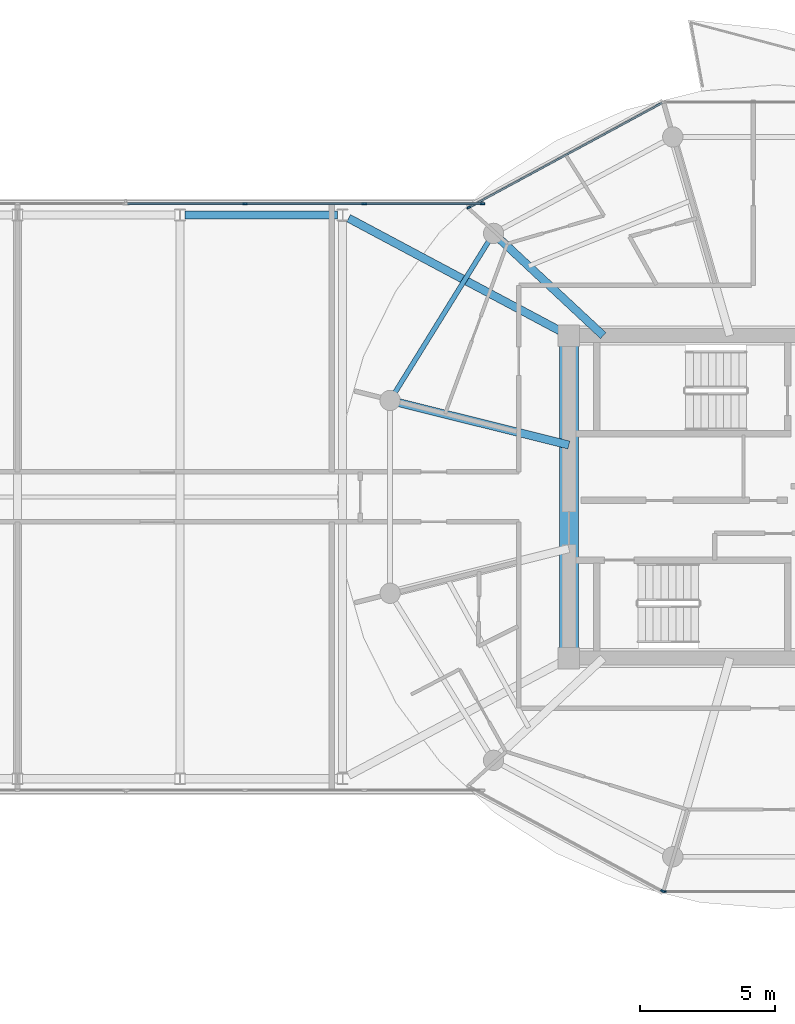
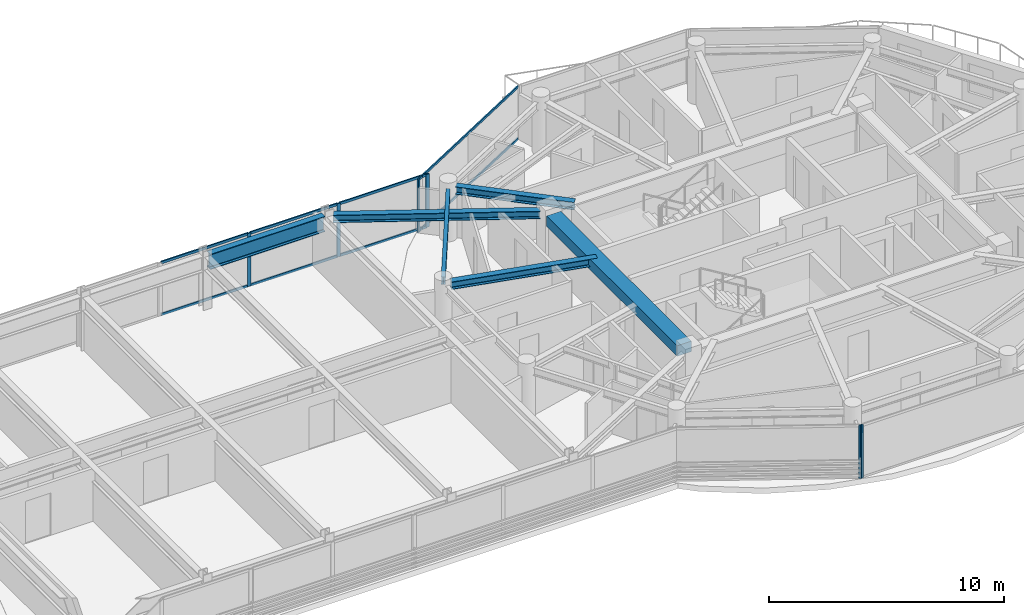
# One storey, part 8 of 24: 14 members, 6 beams, 4 elements without a shape of their own.
"""IFC4 building model written with IfcOpenShell, lengths in metres."""

from ifc_helpers import new_model, si_unit, direction, frame, origin, origin_2d, place, context, subcontext, project, spatial, rectangle, i_section, extrude, source, transform, mapped, material, layer, layer_set, material_profile, profile_set, type_object, type_shapes, element, aggregate, save


model = new_model("IFC4")

# Units and contexts
model_context = context("Model", 3, precision=1e-05, world=origin(), true_north=direction((0.0, 1.0)))
body_context = subcontext(model_context, "Body", "Model", "MODEL_VIEW")
ifc_project = project(units=[si_unit("LENGTHUNIT", "METRE"), si_unit("AREAUNIT", "SQUARE_METRE"), si_unit("VOLUMEUNIT", "CUBIC_METRE"), si_unit("PLANEANGLEUNIT", "RADIAN"), si_unit("MASSUNIT", "GRAM", prefix="KILO")], contexts=[model_context])

# Site, building, storey
site_placement = place(None, origin())
site = spatial("IfcSite", under=ifc_project, at=site_placement, CompositionType="ELEMENT")
building_placement = place(site_placement, origin())
building = spatial("IfcBuilding", under=site, at=building_placement, Name="Norrkilde Senior Care Towers", CompositionType="ELEMENT")
storey_placement = place(building_placement, frame((0.0, 0.0, 223.050048828125)))
storey = spatial("IfcBuildingStorey", under=building, at=storey_placement, Name="L69", CompositionType="ELEMENT", Elevation=223.050048828125)

# Beams
ifc_material_1 = material(Name="Concrete C60/75", Category="concrete")
ifc_material_profile_1 = material_profile(ifc_material_1, rectangle(XDim=0.699951171875, YDim=0.550048828125, at=origin_2d()), Name="RC BM 700x550")
ifc_profile_set_1 = profile_set([ifc_material_profile_1], Name="Concrete C60/75")
beam_type_1 = type_object("IfcBeamType", Name="Core Portal Coupling Beam 700x550", PredefinedType="USERDEFINED", material=ifc_profile_set_1)
shared_shape_1 = source(origin(), body_context, "Body", "SweptSolid", [
    extrude(rectangle(XDim=0.699951171875, YDim=0.550048828125, at=origin_2d()), origin(), (0.0, 0.0, 1.0), 11.14013671875),
])
type_shapes(beam_type_1, [shared_shape_1])
beam_1_placement = place(storey_placement, frame((20.35009765625, -5.570068359375, 2.48486328125), z_axis=(0.0, 1.0, 0.0), x_axis=(-1.0, 0.0, 0.0)))
element("IfcBeam", 1, at=beam_1_placement, inside=storey, type_object=beam_type_1, Name="L69 Core E W Coupling Girder", ObjectType="GIRDER", PredefinedType="USERDEFINED", context=body_context, shape_type="MappedRepresentation", body=[
    mapped(shared_shape_1, transform((0.0, 0.0, 0.0), x_axis=(1.0, 0.0, 0.0), y_axis=(0.0, 1.0, 0.0), z_axis=(0.0, 0.0, 1.0), scale=1.0)),
])
ifc_material_2 = material(Name="Steel S355", Category="steel")
ifc_material_profile_2 = material_profile(ifc_material_2, i_section(OverallWidth=0.179931640625, OverallDepth=0.39990234375, WebThickness=0.008544921875, FlangeThickness=0.013427734375, FilletRadius=0.02099609375, at=origin_2d()), Name="IPE 400")
ifc_profile_set_2 = profile_set([ifc_material_profile_2], Name="Steel S355")
beam_type_2 = type_object("IfcBeamType", Name="Perimeter Ring Spandrel Z4 IPE400", PredefinedType="SPANDREL", material=ifc_profile_set_2)
shared_shape_2 = source(origin(), body_context, "Body", "SweptSolid", [
    extrude(i_section(OverallWidth=0.179931640625, OverallDepth=0.39990234375, WebThickness=0.008544921875, FlangeThickness=0.013427734375, FilletRadius=0.02099609375, at=origin_2d()), origin(), (0.0, 0.0, 1.0), 6.58056640625),
])
type_shapes(beam_type_2, [shared_shape_2])
beam_2_placement = place(storey_placement, frame((17.393798828125, 9.43798828125, 2.56005859375), z_axis=(-0.526529583789, -0.850156807533, 0.0), x_axis=(0.850156807533, -0.526529583789, 0.0)))
element("IfcBeam", 2, at=beam_2_placement, inside=storey, type_object=beam_type_2, Name="L69 Drum E Perimeter Spandrel 05", PredefinedType="SPANDREL", context=body_context, shape_type="MappedRepresentation", body=[
    mapped(shared_shape_2, transform((0.0, 0.0, 0.0), x_axis=(1.0, 0.0, 0.0), y_axis=(0.0, 1.0, 0.0), z_axis=(0.0, 0.0, 1.0), scale=1.0)),
])
ifc_material_profile_3 = material_profile(ifc_material_2, i_section(OverallWidth=0.300048828125, OverallDepth=0.39990234375, WebThickness=0.013427734375, FlangeThickness=0.02392578125, FilletRadius=0.027099609375, at=origin_2d()), Name="HEB 400")
ifc_profile_set_3 = profile_set([ifc_material_profile_3], Name="Steel S355")
beam_type_3 = type_object("IfcBeamType", Name="Radial Floor Beam Z4 HEB400", PredefinedType="BEAM", material=ifc_profile_set_3)
shared_shape_3 = source(origin(), body_context, "Body", "SweptSolid", [
    extrude(i_section(OverallWidth=0.300048828125, OverallDepth=0.39990234375, WebThickness=0.013427734375, FlangeThickness=0.02392578125, FilletRadius=0.027099609375, at=origin_2d()), origin(), (0.0, 0.0, 1.0), 6.465087890625),
])
beam_3_placement = place(storey_placement, frame((20.35009765625, 1.910888671875, 2.56005859375), z_axis=(-0.970195788563, 0.242322371758, 0.0), x_axis=(-0.242322371758, -0.970195788563, 0.0)))
element("IfcBeam", 3, at=beam_3_placement, inside=storey, type_object=beam_type_3, Name="L69 Drum E Radial Floor Beam 06", PredefinedType="BEAM", context=body_context, shape_type="MappedRepresentation", body=[
    mapped(shared_shape_3, transform((0.0, 0.0, 0.0), x_axis=(1.0, 0.0, 0.0), y_axis=(0.0, 1.0, 0.0), z_axis=(0.0, 0.0, 1.0), scale=1.0)),
])
shared_shape_4 = source(origin(), body_context, "Body", "SweptSolid", [
    extrude(i_section(OverallWidth=0.300048828125, OverallDepth=0.39990234375, WebThickness=0.013427734375, FlangeThickness=0.02392578125, FilletRadius=0.027099609375, at=origin_2d()), origin(), (0.0, 0.0, 1.0), 5.197998046875),
])
beam_4_placement = place(storey_placement, frame((21.6171875, 5.949951171875, 2.56005859375), z_axis=(-0.731448749334, 0.681896419625, 0.0), x_axis=(-0.681896419625, -0.731448749334, 0.0)))
element("IfcBeam", 4, at=beam_4_placement, inside=storey, type_object=beam_type_3, Name="L69 Drum E Radial Floor Beam 05", PredefinedType="BEAM", context=body_context, shape_type="MappedRepresentation", body=[
    mapped(shared_shape_4, transform((0.0, 0.0, 0.0), x_axis=(1.0, 0.0, 0.0), y_axis=(0.0, 1.0, 0.0), z_axis=(0.0, 0.0, 1.0), scale=1.0)),
])
shared_shape_5 = source(origin(), body_context, "Body", "SweptSolid", [
    extrude(i_section(OverallWidth=0.300048828125, OverallDepth=0.39990234375, WebThickness=0.013427734375, FlangeThickness=0.02392578125, FilletRadius=0.027099609375, at=origin_2d()), origin(), (0.0, 0.0, 1.0), 8.831787109375),
])
type_shapes(beam_type_3, [shared_shape_3, shared_shape_4, shared_shape_5])
beam_5_placement = place(storey_placement, frame((12.220703125, 10.282470703125, 2.56005859375), z_axis=(0.882492172381, -0.470327083727, 0.0), x_axis=(0.470327083727, 0.882492172381, 0.0)))
element("IfcBeam", 5, at=beam_5_placement, inside=storey, type_object=beam_type_3, Name="L69 Sky-Gate Bridge Girder N6", PredefinedType="BEAM", context=body_context, shape_type="MappedRepresentation", body=[
    mapped(shared_shape_5, transform((0.0, 0.0, 0.0), x_axis=(1.0, 0.0, 0.0), y_axis=(0.0, 1.0, 0.0), z_axis=(0.0, 0.0, 1.0), scale=1.0)),
])
ifc_material_profile_4 = material_profile(ifc_material_2, i_section(OverallWidth=0.300048828125, OverallDepth=0.800048828125, WebThickness=0.017578125, FlangeThickness=0.032958984375, FilletRadius=0.030029296875, at=origin_2d()), Name="HEB 800")
ifc_profile_set_4 = profile_set([ifc_material_profile_4], Name="Steel S355")
beam_type_4 = type_object("IfcBeamType", Name="Bridge Floor Girder HEB800", PredefinedType="USERDEFINED", material=ifc_profile_set_4)
shared_shape_6 = source(origin(), body_context, "Body", "SweptSolid", [
    extrude(i_section(OverallWidth=0.300048828125, OverallDepth=0.800048828125, WebThickness=0.017578125, FlangeThickness=0.032958984375, FilletRadius=0.030029296875, at=origin_2d()), origin(), (0.0, 0.0, 1.0), 5.64013671875),
])
type_shapes(beam_type_4, [shared_shape_6])
beam_6_placement = place(storey_placement, frame((6.179931640625, 10.39990234375, 2.35986328125), z_axis=(1.0, 0.0, 0.0), x_axis=(0.0, 1.0, 0.0)))
element("IfcBeam", 6, at=beam_6_placement, inside=storey, type_object=beam_type_4, Name="L69 Sky-Gate Bridge Girder N5", ObjectType="GIRDER", PredefinedType="USERDEFINED", context=body_context, shape_type="MappedRepresentation", body=[
    mapped(shared_shape_6, transform((0.0, 0.0, 0.0), x_axis=(1.0, 0.0, 0.0), y_axis=(0.0, 1.0, 0.0), z_axis=(0.0, 0.0, 1.0), scale=1.0)),
])

# Curtain wall, members
ifc_material_3 = material(Name="Triple Low-E Insulated Glazing", Category="glass")
ifc_layer_1 = layer(ifc_material_3, 0.18505859375)
ifc_layer_set_1 = layer_set([ifc_layer_1], Name="Triple Low-E Insulated Glazing")
curtain_wall_type_1 = type_object("IfcCurtainWallType", Name="CW6 Zone 4 Crown Pavilion Curtain Wall", PredefinedType="NOTDEFINED", material=ifc_layer_set_1)
curtain_wall_1_placement = place(storey_placement, origin())
curtain_wall_1 = element("IfcCurtainWall", 7, at=curtain_wall_1_placement, inside=storey, type_object=curtain_wall_type_1, Name="L69 Drum E Curtain Wall 03", PredefinedType="NOTDEFINED")
ifc_material_4 = material(Name="Anodised Aluminium", Category="aluminium")
ifc_material_profile_5 = material_profile(ifc_material_4, rectangle(XDim=0.06005859375, YDim=0.1201171875, at=origin_2d()), Name="ALU TRAN 60x120")
ifc_profile_set_5 = profile_set([ifc_material_profile_5], Name="Anodised Aluminium")
member_type_1 = type_object("IfcMemberType", Name="Curtain Wall Transom Typical 60x120", PredefinedType="USERDEFINED", material=ifc_profile_set_5)
shared_shape_7 = source(origin(), body_context, "Body", "SweptSolid", [
    extrude(rectangle(XDim=0.06005859375, YDim=0.1201171875, at=origin_2d()), origin(), (0.0, 0.0, 1.0), 8.0673828125),
])
type_shapes(member_type_1, [shared_shape_7])
member_1_placement = place(storey_placement, frame((16.686767578125, 10.694091796875, 0.030029296875), z_axis=(0.87937750072, 0.476125205411, 0.0), x_axis=(-0.476125205411, 0.87937750072, 0.0)))
member_1 = element("IfcMember", 8, at=member_1_placement, type_object=member_type_1, Name="CW-6 transom 1.1", ObjectType="TRANSOM", PredefinedType="USERDEFINED", context=body_context, shape_type="MappedRepresentation", body=[
    mapped(shared_shape_7, transform((0.0, 0.0, 0.0), x_axis=(1.0, 0.0, 0.0), y_axis=(0.0, 1.0, 0.0), z_axis=(0.0, 0.0, 1.0), scale=1.0)),
])
member_2_placement = place(storey_placement, frame((16.686767578125, 10.694091796875, 2.72998046875), z_axis=(0.87937750072, 0.476125205411, 0.0), x_axis=(-0.476125205411, 0.87937750072, 0.0)))
member_2 = element("IfcMember", 9, at=member_2_placement, type_object=member_type_1, Name="CW-6 transom 1.2", ObjectType="TRANSOM", PredefinedType="USERDEFINED", context=body_context, shape_type="MappedRepresentation", body=[
    mapped(shared_shape_7, transform((0.0, 0.0, 0.0), x_axis=(1.0, 0.0, 0.0), y_axis=(0.0, 1.0, 0.0), z_axis=(0.0, 0.0, 1.0), scale=1.0)),
])
ifc_material_profile_6 = material_profile(ifc_material_4, rectangle(XDim=0.06494140625, YDim=0.14990234375, at=origin_2d()), Name="ALU MULL 65x150")
ifc_profile_set_6 = profile_set([ifc_material_profile_6], Name="Anodised Aluminium")
member_type_2 = type_object("IfcMemberType", Name="Curtain Wall Mullion Z3-Z4 65x150", PredefinedType="MULLION", material=ifc_profile_set_6)
shared_shape_8 = source(origin(), body_context, "Body", "SweptSolid", [
    extrude(rectangle(XDim=0.06494140625, YDim=0.14990234375, at=origin_2d()), origin(), (0.0, 0.0, 1.0), 2.760009765625),
])
type_shapes(member_type_2, [shared_shape_8])
member_3_placement = place(storey_placement, frame((16.658203125, 10.6787109375, 0.0), z_axis=(0.0, 0.0, 1.0), x_axis=(-0.476132676136, 0.879373455772, 0.0)))
member_3 = element("IfcMember", 10, at=member_3_placement, type_object=member_type_2, Name="CW-6 mullion 1", PredefinedType="MULLION", context=body_context, shape_type="MappedRepresentation", body=[
    mapped(shared_shape_8, transform((0.0, 0.0, 0.0), x_axis=(1.0, 0.0, 0.0), y_axis=(0.0, 1.0, 0.0), z_axis=(0.0, 0.0, 1.0), scale=1.0)),
])
aggregate(curtain_wall_1, [member_3, member_1, member_2])

# Curtain wall, member
curtain_wall_2_placement = place(storey_placement, origin())
curtain_wall_2 = element("IfcCurtainWall", 11, at=curtain_wall_2_placement, inside=storey, type_object=curtain_wall_type_1, Name="L69 Drum E Curtain Wall 07", PredefinedType="NOTDEFINED")
member_4_placement = place(storey_placement, frame((23.8095703125, -14.55078125, 0.0), z_axis=(0.0, 0.0, 1.0), x_axis=(-0.476132676136, -0.879373455772, 0.0)))
member_4 = element("IfcMember", 12, at=member_4_placement, type_object=member_type_2, Name="CW-6 mullion 1", PredefinedType="MULLION", context=body_context, shape_type="MappedRepresentation", body=[
    mapped(shared_shape_8, transform((0.0, 0.0, 0.0), x_axis=(1.0, 0.0, 0.0), y_axis=(0.0, 1.0, 0.0), z_axis=(0.0, 0.0, 1.0), scale=1.0)),
])
aggregate(curtain_wall_2, [member_4])

curtain_wall_3_placement = place(storey_placement, origin())
curtain_wall_3 = element("IfcCurtainWall", 13, at=curtain_wall_3_placement, inside=storey, type_object=curtain_wall_type_1, Name="L69 Drum E Curtain Wall 08", PredefinedType="NOTDEFINED")
member_5_placement = place(storey_placement, frame((23.87060546875, -14.566162109375, 0.0), z_axis=(0.0, 0.0, 1.0), x_axis=(0.0, -1.0, 0.0)))
member_5 = element("IfcMember", 14, at=member_5_placement, type_object=member_type_2, Name="CW-6 mullion 2", PredefinedType="MULLION", context=body_context, shape_type="MappedRepresentation", body=[
    mapped(shared_shape_8, transform((0.0, 0.0, 0.0), x_axis=(1.0, 0.0, 0.0), y_axis=(0.0, 1.0, 0.0), z_axis=(0.0, 0.0, 1.0), scale=1.0)),
])
aggregate(curtain_wall_3, [member_5])

# Curtain wall, members
ifc_layer_2 = layer(ifc_material_3, 0.2099609375)
ifc_layer_set_2 = layer_set([ifc_layer_2], Name="Triple Low-E Insulated Glazing")
curtain_wall_type_2 = type_object("IfcCurtainWallType", Name="CW5 Sky-Gate Bridge Curtain Wall", PredefinedType="NOTDEFINED", material=ifc_layer_set_2)
curtain_wall_4_placement = place(storey_placement, origin())
curtain_wall_4 = element("IfcCurtainWall", 15, at=curtain_wall_4_placement, inside=storey, type_object=curtain_wall_type_2, Name="L69 Sky-Gate Bridge North Curtain Wall 3", PredefinedType="NOTDEFINED")
ifc_material_profile_7 = material_profile(ifc_material_4, rectangle(XDim=0.06494140625, YDim=0.1298828125, at=origin_2d()), Name="ALU TRAN 65x130")
ifc_profile_set_7 = profile_set([ifc_material_profile_7], Name="Anodised Aluminium")
member_type_3 = type_object("IfcMemberType", Name="Curtain Wall Transom Heavy 65x130", PredefinedType="USERDEFINED", material=ifc_profile_set_7)
shared_shape_9 = source(origin(), body_context, "Body", "SweptSolid", [
    extrude(rectangle(XDim=0.06494140625, YDim=0.1298828125, at=origin_2d()), origin(), (0.0, 0.0, 1.0), 4.294921875),
])
member_6_placement = place(storey_placement, frame((4.070068359375, 10.820068359375, 0.032470703125), z_axis=(1.0, 0.0, 0.0), x_axis=(0.0, 1.0, 0.0)))
member_6 = element("IfcMember", 16, at=member_6_placement, type_object=member_type_3, Name="CW-5 transom 1.1", ObjectType="TRANSOM", PredefinedType="USERDEFINED", context=body_context, shape_type="MappedRepresentation", body=[
    mapped(shared_shape_9, transform((0.0, 0.0, 0.0), x_axis=(1.0, 0.0, 0.0), y_axis=(0.0, 1.0, 0.0), z_axis=(0.0, 0.0, 1.0), scale=1.0)),
])
member_7_placement = place(storey_placement, frame((4.070068359375, 10.820068359375, 2.7275390625), z_axis=(1.0, 0.0, 0.0), x_axis=(0.0, 1.0, 0.0)))
member_7 = element("IfcMember", 17, at=member_7_placement, type_object=member_type_3, Name="CW-5 transom 1.2", ObjectType="TRANSOM", PredefinedType="USERDEFINED", context=body_context, shape_type="MappedRepresentation", body=[
    mapped(shared_shape_9, transform((0.0, 0.0, 0.0), x_axis=(1.0, 0.0, 0.0), y_axis=(0.0, 1.0, 0.0), z_axis=(0.0, 0.0, 1.0), scale=1.0)),
])
member_8_placement = place(storey_placement, frame((12.8349609375, 10.820068359375, 0.032470703125), z_axis=(1.0, 0.0, 0.0), x_axis=(0.0, 1.0, 0.0)))
member_8 = element("IfcMember", 18, at=member_8_placement, type_object=member_type_3, Name="CW-5 transom 3.1", ObjectType="TRANSOM", PredefinedType="USERDEFINED", context=body_context, shape_type="MappedRepresentation", body=[
    mapped(shared_shape_9, transform((0.0, 0.0, 0.0), x_axis=(1.0, 0.0, 0.0), y_axis=(0.0, 1.0, 0.0), z_axis=(0.0, 0.0, 1.0), scale=1.0)),
])
member_9_placement = place(storey_placement, frame((12.8349609375, 10.820068359375, 2.7275390625), z_axis=(1.0, 0.0, 0.0), x_axis=(0.0, 1.0, 0.0)))
member_9 = element("IfcMember", 19, at=member_9_placement, type_object=member_type_3, Name="CW-5 transom 3.2", ObjectType="TRANSOM", PredefinedType="USERDEFINED", context=body_context, shape_type="MappedRepresentation", body=[
    mapped(shared_shape_9, transform((0.0, 0.0, 0.0), x_axis=(1.0, 0.0, 0.0), y_axis=(0.0, 1.0, 0.0), z_axis=(0.0, 0.0, 1.0), scale=1.0)),
])
shared_shape_10 = source(origin(), body_context, "Body", "SweptSolid", [
    extrude(rectangle(XDim=0.06494140625, YDim=0.1298828125, at=origin_2d()), origin(), (0.0, 0.0, 1.0), 4.329833984375),
])
type_shapes(member_type_3, [shared_shape_9, shared_shape_10])
member_10_placement = place(storey_placement, frame((8.43505859375, 10.820068359375, 0.032470703125), z_axis=(1.0, 0.0, 0.0), x_axis=(0.0, 1.0, 0.0)))
member_10 = element("IfcMember", 20, at=member_10_placement, type_object=member_type_3, Name="CW-5 transom 2.1", ObjectType="TRANSOM", PredefinedType="USERDEFINED", context=body_context, shape_type="MappedRepresentation", body=[
    mapped(shared_shape_10, transform((0.0, 0.0, 0.0), x_axis=(1.0, 0.0, 0.0), y_axis=(0.0, 1.0, 0.0), z_axis=(0.0, 0.0, 1.0), scale=1.0)),
])
member_11_placement = place(storey_placement, frame((8.43505859375, 10.820068359375, 2.7275390625), z_axis=(1.0, 0.0, 0.0), x_axis=(0.0, 1.0, 0.0)))
member_11 = element("IfcMember", 21, at=member_11_placement, type_object=member_type_3, Name="CW-5 transom 2.2", ObjectType="TRANSOM", PredefinedType="USERDEFINED", context=body_context, shape_type="MappedRepresentation", body=[
    mapped(shared_shape_10, transform((0.0, 0.0, 0.0), x_axis=(1.0, 0.0, 0.0), y_axis=(0.0, 1.0, 0.0), z_axis=(0.0, 0.0, 1.0), scale=1.0)),
])
ifc_material_profile_8 = material_profile(ifc_material_4, rectangle(XDim=0.070068359375, YDim=0.169921875, at=origin_2d()), Name="ALU MULL 70x170")
ifc_profile_set_8 = profile_set([ifc_material_profile_8], Name="Anodised Aluminium")
member_type_4 = type_object("IfcMemberType", Name="Curtain Wall Mullion Heavy 70x170", PredefinedType="MULLION", material=ifc_profile_set_8)
shared_shape_11 = source(origin(), body_context, "Body", "SweptSolid", [
    extrude(rectangle(XDim=0.070068359375, YDim=0.169921875, at=origin_2d()), origin(), (0.0, 0.0, 1.0), 2.760009765625),
])
type_shapes(member_type_4, [shared_shape_11])
member_12_placement = place(storey_placement, frame((8.39990234375, 10.820068359375, 0.0), z_axis=(0.0, 0.0, 1.0), x_axis=(0.0, 1.0, 0.0)))
member_12 = element("IfcMember", 22, at=member_12_placement, type_object=member_type_4, Name="CW-5 mullion 2", PredefinedType="MULLION", context=body_context, shape_type="MappedRepresentation", body=[
    mapped(shared_shape_11, transform((0.0, 0.0, 0.0), x_axis=(1.0, 0.0, 0.0), y_axis=(0.0, 1.0, 0.0), z_axis=(0.0, 0.0, 1.0), scale=1.0)),
])
member_13_placement = place(storey_placement, frame((12.800048828125, 10.820068359375, 0.0), z_axis=(0.0, 0.0, 1.0), x_axis=(0.0, 1.0, 0.0)))
member_13 = element("IfcMember", 23, at=member_13_placement, type_object=member_type_4, Name="CW-5 mullion 3", PredefinedType="MULLION", context=body_context, shape_type="MappedRepresentation", body=[
    mapped(shared_shape_11, transform((0.0, 0.0, 0.0), x_axis=(1.0, 0.0, 0.0), y_axis=(0.0, 1.0, 0.0), z_axis=(0.0, 0.0, 1.0), scale=1.0)),
])
member_14_placement = place(storey_placement, frame((17.1650390625, 10.820068359375, 0.0), z_axis=(0.0, 0.0, 1.0), x_axis=(0.0, 1.0, 0.0)))
member_14 = element("IfcMember", 24, at=member_14_placement, type_object=member_type_4, Name="CW-5 mullion 4", PredefinedType="MULLION", context=body_context, shape_type="MappedRepresentation", body=[
    mapped(shared_shape_11, transform((0.0, 0.0, 0.0), x_axis=(1.0, 0.0, 0.0), y_axis=(0.0, 1.0, 0.0), z_axis=(0.0, 0.0, 1.0), scale=1.0)),
])
aggregate(curtain_wall_4, [member_12, member_13, member_14, member_6, member_7, member_10, member_11, member_8, member_9])

save(model, "model.ifc")
